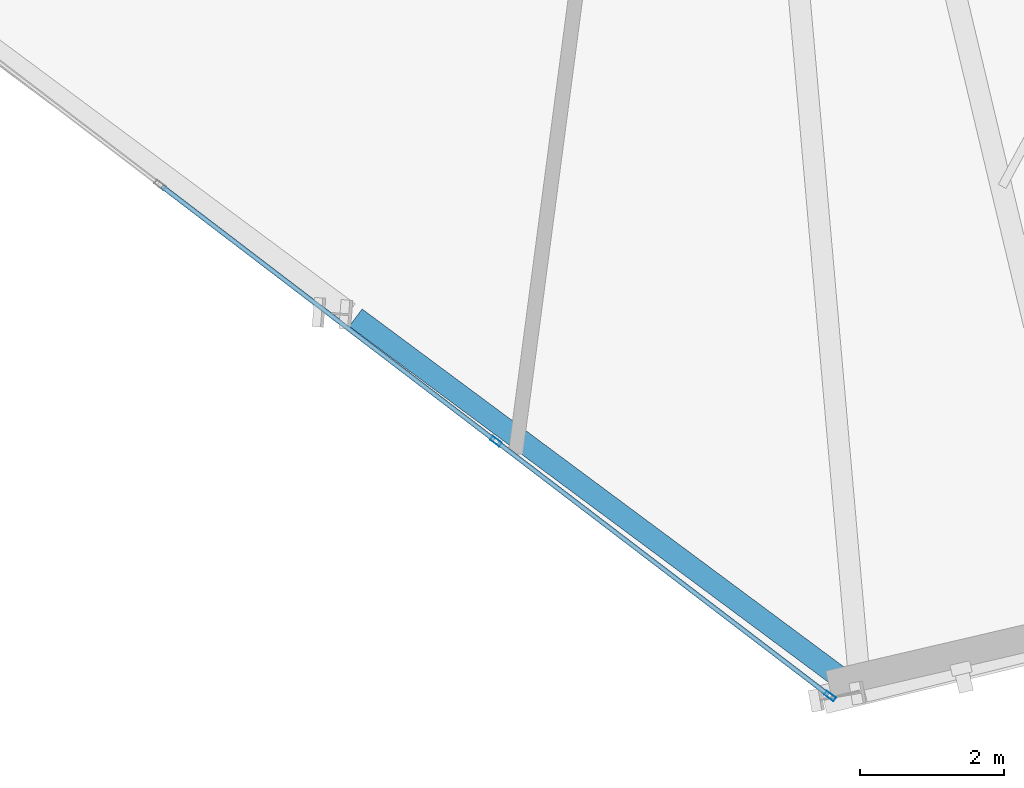
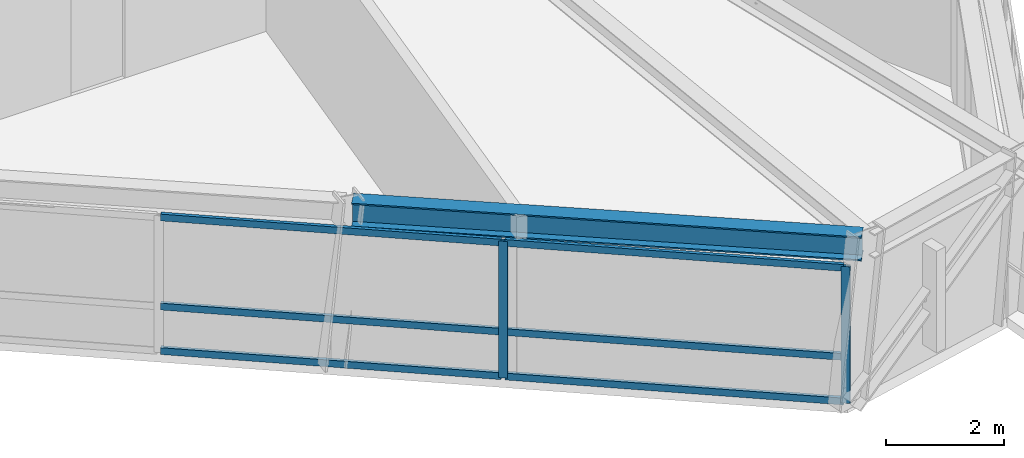
# One storey, part 3 of 13: 8 members, 1 beam, 1 element without a shape of its own.
"""IFC4 building model written with IfcOpenShell, lengths in metres."""

from ifc_helpers import new_model, si_unit, direction, frame, origin, origin_2d, place, context, subcontext, project, spatial, hollow_rectangle, i_section, extrude, source, transform, mapped, material, material_profile, profile_set, type_object, element, aggregate, save


model = new_model("IFC4")

# Units and contexts
model_context = context("Model", 3, precision=1e-05, world=origin(), true_north=direction((0.0, 1.0)))
body_context = subcontext(model_context, "Body", "Model", "MODEL_VIEW")
ifc_project = project(units=[si_unit("LENGTHUNIT", "METRE"), si_unit("AREAUNIT", "SQUARE_METRE"), si_unit("VOLUMEUNIT", "CUBIC_METRE"), si_unit("PLANEANGLEUNIT", "RADIAN"), si_unit("MASSUNIT", "GRAM", prefix="KILO")], contexts=[model_context])

# Site, building, storey
site_placement = place(None, origin())
site = spatial("IfcSite", under=ifc_project, at=site_placement, CompositionType="ELEMENT")
building_placement = place(site_placement, origin())
building = spatial("IfcBuilding", under=site, at=building_placement, Name="Olszyna Solenne Hotel", CompositionType="ELEMENT")
storey_placement = place(building_placement, frame((0.0, 0.0, 227.35009765625)))
storey = spatial("IfcBuildingStorey", under=building, at=storey_placement, Name="L60", CompositionType="ELEMENT", Elevation=227.35009765625)

# Beam
ifc_material_1 = material(Name="Steel S355J2", Category="steel")
ifc_material_profile_1 = material_profile(ifc_material_1, i_section(OverallWidth=0.300048828125, OverallDepth=0.5, WebThickness=0.014404296875, FlangeThickness=0.028076171875, at=origin_2d()), Name="HEB 500", Category="load-bearing")
ifc_profile_set_1 = profile_set([ifc_material_profile_1], Name="Steel S355J2")
beam_type = type_object("IfcBeamType", Name="BM-S3", PredefinedType="BEAM", material=ifc_profile_set_1)
shared_shape_1 = source(origin(), body_context, "Body", "SweptSolid", [
    extrude(i_section(OverallWidth=0.300048828125, OverallDepth=0.5, WebThickness=0.014404296875, FlangeThickness=0.028076171875, at=origin_2d()), origin(), (0.0, 0.0, 1.0), 8.677490234375),
])
beam_placement = place(storey_placement, frame((33.080322265625, 7.992919921875, 3.079833984375), z_axis=(0.802770013574, -0.596288776774, 0.0), x_axis=(0.596288776774, 0.802770013574, 0.0)))
element("IfcBeam", 1, at=beam_placement, inside=storey, type_object=beam_type, Name="Perimeter spandrel beam BM-S3 B-L60-1773", PredefinedType="BEAM", context=body_context, shape_type="MappedRepresentation", body=[
    mapped(shared_shape_1, transform((0.0, 0.0, 0.0), x_axis=(1.0, 0.0, 0.0), y_axis=(0.0, 1.0, 0.0), z_axis=(0.0, 0.0, 1.0), scale=1.0)),
])

# Curtain wall, members
ifc_material_2 = material(Name="Anodised bronze aluminium", Category="aluminium")
curtain_wall_type = type_object("IfcCurtainWallType", Name="CW-SYS-4", PredefinedType="NOTDEFINED", material=ifc_material_2)
curtain_wall_placement = place(storey_placement, origin())
curtain_wall = element("IfcCurtainWall", 2, at=curtain_wall_placement, inside=storey, type_object=curtain_wall_type, Name="Unitised curtain wall CW-SYS-4 CW-L60-01", PredefinedType="NOTDEFINED")
ifc_material_profile_2 = material_profile(ifc_material_2, hollow_rectangle(XDim=0.06494140625, YDim=0.159912109375, WallThickness=0.00390625, at=origin_2d()), Name="MULL 160x65x4", Category="load-bearing")
ifc_profile_set_2 = profile_set([ifc_material_profile_2], Name="Anodised bronze aluminium")
member_type_1 = type_object("IfcMemberType", Name="CW-M3", PredefinedType="MULLION", material=ifc_profile_set_2)
shared_shape_2 = source(origin(), body_context, "Body", "SweptSolid", [
    extrude(hollow_rectangle(XDim=0.06494140625, YDim=0.159912109375, WallThickness=0.00390625, at=origin_2d()), origin(), (0.0, 0.0, 1.0), 2.822021484375),
])
member_1_placement = place(storey_placement, frame((35.030517578125, 6.274658203125, 0.0), z_axis=(0.0, 0.0, 1.0), x_axis=(0.606611373069, 0.79499851702, 0.0)))
member_1 = element("IfcMember", 3, at=member_1_placement, type_object=member_type_1, Name="Curtain-wall mullion CW-M3 CM-L60-01-03", PredefinedType="MULLION", context=body_context, shape_type="MappedRepresentation", body=[
    mapped(shared_shape_2, transform((0.0, 0.0, 0.0), x_axis=(1.0, 0.0, 0.0), y_axis=(0.0, 1.0, 0.0), z_axis=(0.0, 0.0, 1.0), scale=1.0)),
])
member_2_placement = place(storey_placement, frame((39.671875, 2.7333984375, 0.0), z_axis=(0.0, 0.0, 1.0), x_axis=(0.606611373069, 0.79499851702, 0.0)))
member_2 = element("IfcMember", 4, at=member_2_placement, type_object=member_type_1, Name="Curtain-wall mullion CW-M3 CM-L60-01-04", PredefinedType="MULLION", context=body_context, shape_type="MappedRepresentation", body=[
    mapped(shared_shape_2, transform((0.0, 0.0, 0.0), x_axis=(1.0, 0.0, 0.0), y_axis=(0.0, 1.0, 0.0), z_axis=(0.0, 0.0, 1.0), scale=1.0)),
])
ifc_material_profile_3 = material_profile(ifc_material_2, hollow_rectangle(XDim=0.06494140625, YDim=0.139892578125, WallThickness=0.00390625, at=origin_2d()), Name="TRAN 140x65x4", Category="load-bearing")
ifc_profile_set_3 = profile_set([ifc_material_profile_3], Name="Anodised bronze aluminium")
member_type_2 = type_object("IfcMemberType", Name="CW-T2", PredefinedType="USERDEFINED", material=ifc_profile_set_3)
shared_shape_3 = source(origin(), body_context, "Body", "SweptSolid", [
    extrude(hollow_rectangle(XDim=0.06494140625, YDim=0.139892578125, WallThickness=0.00390625, at=origin_2d()), origin(), (0.0, 0.0, 1.0), 5.8056640625),
])
member_3_placement = place(storey_placement, frame((30.389404296875, 9.816162109375, 0.032470703125), z_axis=(0.795001945481, -0.60660687985, 0.0), x_axis=(0.60660687985, 0.795001945481, 0.0)))
member_3 = element("IfcMember", 5, at=member_3_placement, type_object=member_type_2, Name="Curtain-wall transom CW-T2 CT-L60-01-04", ObjectType="TRANSOM", PredefinedType="USERDEFINED", context=body_context, shape_type="MappedRepresentation", body=[
    mapped(shared_shape_3, transform((0.0, 0.0, 0.0), x_axis=(1.0, 0.0, 0.0), y_axis=(0.0, 1.0, 0.0), z_axis=(0.0, 0.0, 1.0), scale=1.0)),
])
member_4_placement = place(storey_placement, frame((30.389404296875, 9.816162109375, 0.949951171875), z_axis=(0.795001945481, -0.60660687985, 0.0), x_axis=(0.60660687985, 0.795001945481, 0.0)))
member_4 = element("IfcMember", 6, at=member_4_placement, type_object=member_type_2, Name="Curtain-wall transom CW-T2 CT-L60-01-05", ObjectType="TRANSOM", PredefinedType="USERDEFINED", context=body_context, shape_type="MappedRepresentation", body=[
    mapped(shared_shape_3, transform((0.0, 0.0, 0.0), x_axis=(1.0, 0.0, 0.0), y_axis=(0.0, 1.0, 0.0), z_axis=(0.0, 0.0, 1.0), scale=1.0)),
])
member_5_placement = place(storey_placement, frame((30.389404296875, 9.816162109375, 2.789306640625), z_axis=(0.795001945481, -0.60660687985, 0.0), x_axis=(0.60660687985, 0.795001945481, 0.0)))
member_5 = element("IfcMember", 7, at=member_5_placement, type_object=member_type_2, Name="Curtain-wall transom CW-T2 CT-L60-01-06", ObjectType="TRANSOM", PredefinedType="USERDEFINED", context=body_context, shape_type="MappedRepresentation", body=[
    mapped(shared_shape_3, transform((0.0, 0.0, 0.0), x_axis=(1.0, 0.0, 0.0), y_axis=(0.0, 1.0, 0.0), z_axis=(0.0, 0.0, 1.0), scale=1.0)),
])
shared_shape_4 = source(origin(), body_context, "Body", "SweptSolid", [
    extrude(hollow_rectangle(XDim=0.06494140625, YDim=0.139892578125, WallThickness=0.00390625, at=origin_2d()), origin(), (0.0, 0.0, 1.0), 5.773193359375),
])
member_6_placement = place(storey_placement, frame((35.056396484375, 6.255126953125, 0.032470703125), z_axis=(0.794983983876, -0.606630419102, 0.0), x_axis=(0.606630419102, 0.794983983876, 0.0)))
member_6 = element("IfcMember", 8, at=member_6_placement, type_object=member_type_2, Name="Curtain-wall transom CW-T2 CT-L60-01-07", ObjectType="TRANSOM", PredefinedType="USERDEFINED", context=body_context, shape_type="MappedRepresentation", body=[
    mapped(shared_shape_4, transform((0.0, 0.0, 0.0), x_axis=(1.0, 0.0, 0.0), y_axis=(0.0, 1.0, 0.0), z_axis=(0.0, 0.0, 1.0), scale=1.0)),
])
member_7_placement = place(storey_placement, frame((35.056396484375, 6.255126953125, 0.949951171875), z_axis=(0.794983983876, -0.606630419102, 0.0), x_axis=(0.606630419102, 0.794983983876, 0.0)))
member_7 = element("IfcMember", 9, at=member_7_placement, type_object=member_type_2, Name="Curtain-wall transom CW-T2 CT-L60-01-08", ObjectType="TRANSOM", PredefinedType="USERDEFINED", context=body_context, shape_type="MappedRepresentation", body=[
    mapped(shared_shape_4, transform((0.0, 0.0, 0.0), x_axis=(1.0, 0.0, 0.0), y_axis=(0.0, 1.0, 0.0), z_axis=(0.0, 0.0, 1.0), scale=1.0)),
])
member_8_placement = place(storey_placement, frame((35.056396484375, 6.255126953125, 2.789306640625), z_axis=(0.794983983876, -0.606630419102, 0.0), x_axis=(0.606630419102, 0.794983983876, 0.0)))
member_8 = element("IfcMember", 10, at=member_8_placement, type_object=member_type_2, Name="Curtain-wall transom CW-T2 CT-L60-01-09", ObjectType="TRANSOM", PredefinedType="USERDEFINED", context=body_context, shape_type="MappedRepresentation", body=[
    mapped(shared_shape_4, transform((0.0, 0.0, 0.0), x_axis=(1.0, 0.0, 0.0), y_axis=(0.0, 1.0, 0.0), z_axis=(0.0, 0.0, 1.0), scale=1.0)),
])
aggregate(curtain_wall, [member_1, member_2, member_3, member_4, member_5, member_6, member_7, member_8])

save(model, "model.ifc")
